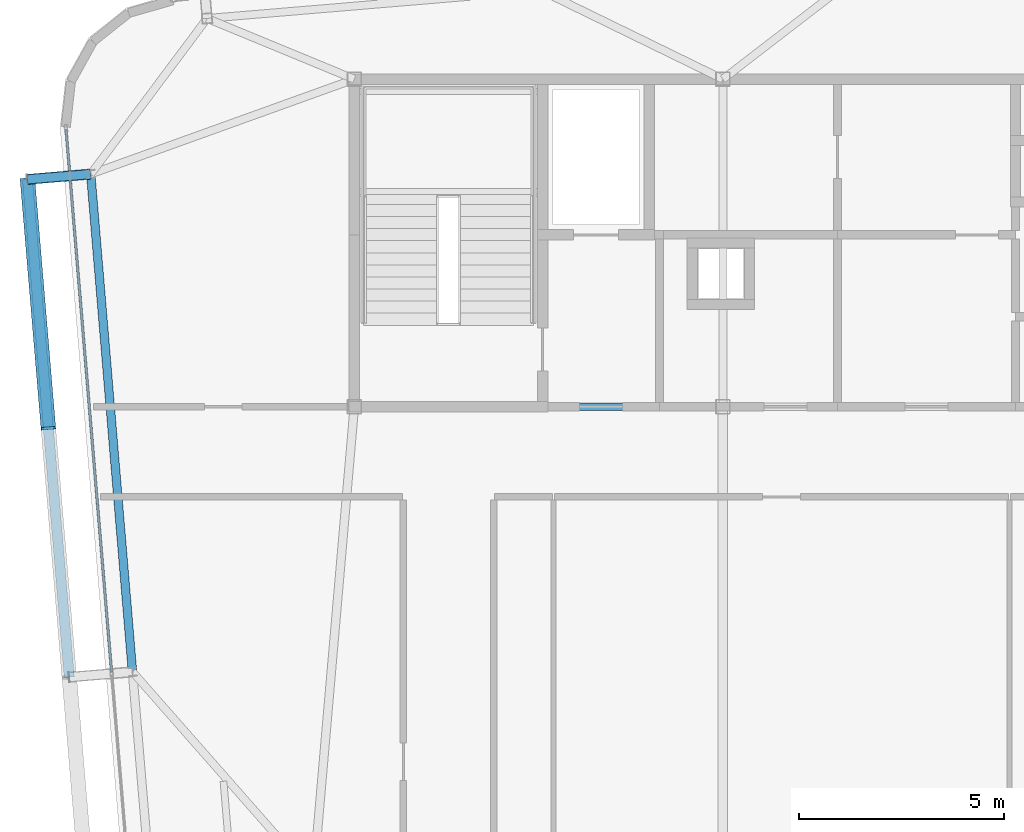
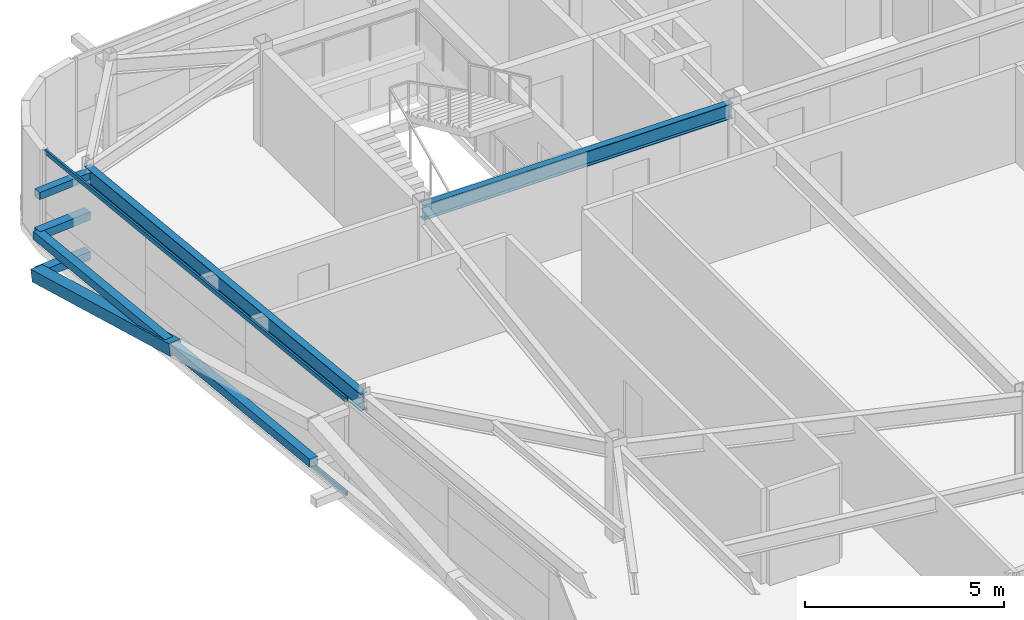
# One storey, part 13 of 39: 7 members, 2 beams, 1 element without a shape of its own.
"""IFC4 building model written with IfcOpenShell, lengths in metres."""

from ifc_helpers import new_model, si_unit, direction, frame, origin, origin_2d, place, context, subcontext, project, spatial, hollow_rectangle, i_section, extrude, source, transform, mapped, material, layer, layer_set, material_profile, profile_set, type_object, element, aggregate, save


model = new_model("IFC4")

# Units and contexts
model_context = context("Model", 3, precision=1e-05, world=origin(), true_north=direction((0.0, 1.0)))
body_context = subcontext(model_context, "Body", "Model", "MODEL_VIEW")
ifc_project = project(units=[si_unit("LENGTHUNIT", "METRE"), si_unit("AREAUNIT", "SQUARE_METRE"), si_unit("VOLUMEUNIT", "CUBIC_METRE"), si_unit("PLANEANGLEUNIT", "RADIAN"), si_unit("MASSUNIT", "GRAM", prefix="KILO")], contexts=[model_context])

# Site, building, storey
site_placement = place(None, origin())
site = spatial("IfcSite", under=ifc_project, at=site_placement, CompositionType="ELEMENT")
building_placement = place(site_placement, origin())
building = spatial("IfcBuilding", under=site, at=building_placement, Name="Taldren Reach Tower", CompositionType="ELEMENT")
storey_placement = place(building_placement, frame((0.0, 0.0, 197.75)))
storey = spatial("IfcBuildingStorey", under=building, at=storey_placement, Name="L60", CompositionType="ELEMENT", Elevation=197.75)

# Beams
ifc_material_1 = material(Name="Steel Gr 350 (350PLUS)", Category="steel")
ifc_material_profile_1 = material_profile(ifc_material_1, i_section(OverallWidth=0.19091796875, OverallDepth=0.4599609375, WebThickness=0.010009765625, FlangeThickness=0.01611328125, at=origin_2d()), Name="460UB82.1")
ifc_profile_set_1 = profile_set([ifc_material_profile_1], Name="Steel Gr 350 (350PLUS)")
beam_type_1 = type_object("IfcBeamType", Name="BM-UB460A", PredefinedType="BEAM", material=ifc_profile_set_1)
shared_shape_1 = source(origin(), body_context, "Body", "SweptSolid", [
    extrude(i_section(OverallWidth=0.19091796875, OverallDepth=0.4599609375, WebThickness=0.010009765625, FlangeThickness=0.01611328125, at=origin_2d()), origin(), (0.0, 0.0, 1.0), 9.0),
])
beam_1_placement = place(storey_placement, frame((19.0, 24.0, 2.699951171875), z_axis=(1.0, 0.0, 0.0), x_axis=(0.0, 1.0, 0.0)))
element("IfcBeam", 1, at=beam_1_placement, inside=storey, type_object=beam_type_1, Name="Core-spine girder L60-SP01", PredefinedType="BEAM", context=body_context, shape_type="MappedRepresentation", body=[
    mapped(shared_shape_1, transform((0.0, 0.0, 0.0), scale=1.0)),
])
ifc_material_profile_2 = material_profile(ifc_material_1, i_section(OverallWidth=0.208984375, OverallDepth=0.528076171875, WebThickness=0.009521484375, FlangeThickness=0.01318359375, at=origin_2d()), Name="530UB82.0")
ifc_profile_set_2 = profile_set([ifc_material_profile_2], Name="Steel Gr 350 (350PLUS)")
beam_type_2 = type_object("IfcBeamType", Name="SP-UB530B", PredefinedType="SPANDREL", material=ifc_profile_set_2)
shared_shape_2 = source(origin(), body_context, "Body", "SweptSolid", [
    extrude(i_section(OverallWidth=0.208984375, OverallDepth=0.528076171875, WebThickness=0.009521484375, FlangeThickness=0.01318359375, at=origin_2d()), origin(), (0.0, 0.0, 1.0), 12.199951171875),
])
beam_2_placement = place(storey_placement, frame((12.56201171875, 29.682373046875, 2.666015625), z_axis=(0.083668166953, -0.99649367175, 0.0), x_axis=(0.99649367175, 0.083668166953, 0.0)))
element("IfcBeam", 2, at=beam_2_placement, inside=storey, type_object=beam_type_2, Name="Perimeter spandrel B4 W3-W2 L60", PredefinedType="SPANDREL", context=body_context, shape_type="MappedRepresentation", body=[
    mapped(shared_shape_2, transform((0.0, 0.0, 0.0), scale=1.0)),
])

# Members
ifc_material_2 = material(Name="Steel Gr 450 (C450L0)", Category="steel")
ifc_material_profile_3 = material_profile(ifc_material_2, hollow_rectangle(XDim=0.219970703125, YDim=0.219970703125, WallThickness=0.00830078125, at=origin_2d()), Name="220x220x8.2SHS")
ifc_profile_set_3 = profile_set([ifc_material_profile_3], Name="Steel Gr 450 (C450L0)")
member_type_1 = type_object("IfcMemberType", Name="MB-TIE219", PredefinedType="STRUT", material=ifc_profile_set_3)
shared_shape_3 = source(origin(), body_context, "Body", "SweptSolid", [
    extrude(hollow_rectangle(XDim=0.219970703125, YDim=0.219970703125, WallThickness=0.00830078125, at=origin_2d()), origin(), (0.0, 0.0, 1.0), 1.54541015625),
])
member_1_placement = place(storey_placement, frame((12.557373046875, 29.68212890625, 2.64990234375), z_axis=(-0.99648887425, -0.083725285883, 0.0), x_axis=(0.083725285883, -0.99648887425, 0.0)))
element("IfcMember", 3, at=member_1_placement, inside=storey, type_object=member_type_1, Name="Exoskeleton diaphragm tie strut B4-W3 L60", PredefinedType="STRUT", context=body_context, shape_type="MappedRepresentation", body=[
    mapped(shared_shape_3, transform((0.0, 0.0, 0.0), scale=1.0)),
])
ifc_material_3 = material(Name="Steel Gr 350 (C350L0)", Category="steel")
ifc_material_profile_4 = material_profile(ifc_material_3, hollow_rectangle(XDim=0.25, YDim=0.25, WallThickness=0.010009765625, at=origin_2d()), Name="250x250x10.0SHS")
ifc_profile_set_4 = profile_set([ifc_material_profile_4], Name="Steel Gr 350 (C350L0)")
member_type_2 = type_object("IfcMemberType", Name="MB-POST250", PredefinedType="POST", material=ifc_profile_set_4)
shared_shape_4 = source(origin(), body_context, "Body", "SweptSolid", [
    extrude(hollow_rectangle(XDim=0.25, YDim=0.25, WallThickness=0.010009765625, at=origin_2d()), origin(), (0.0, 0.0, 1.0), 12.199951171875),
])
member_2_placement = place(storey_placement, frame((12.0380859375, 17.3955078125, 1.43505859375), z_axis=(-0.083668166953, 0.99649367175, 0.0), x_axis=(-0.99649367175, -0.083668166953, 0.0)))
element("IfcMember", 4, at=member_2_placement, inside=storey, type_object=member_type_2, Name="Exoskeleton mid-height ring chord B4-W2 L60", PredefinedType="POST", context=body_context, shape_type="MappedRepresentation", body=[
    mapped(shared_shape_4, transform((0.0, 0.0, 0.0), scale=1.0)),
])
shared_shape_5 = source(origin(), body_context, "Body", "SweptSolid", [
    extrude(hollow_rectangle(XDim=0.25, YDim=0.25, WallThickness=0.010009765625, at=origin_2d()), origin(), (0.0, 0.0, 1.0), 1.54541015625),
])
for number, where, z_axis, x_axis, name in (
    (5, (12.557373046875, 29.68212890625, 0.219970703125), (-0.99648887425, -0.083725285883, 0.0), (0.083725285883, -0.99648887425, 0.0), "Exoskeleton base diaphragm tie strut B4-W3 L60"),
    (6, (12.557373046875, 29.68212890625, 1.43505859375), (-0.99648887425, -0.083725285883, 0.0), (0.083725285883, -0.99648887425, 0.0), "Exoskeleton mid-tier diaphragm tie B4-W3 L60"),
):
    element("IfcMember", number, at=place(storey_placement, frame(where, z_axis=z_axis, x_axis=x_axis)), inside=storey, type_object=member_type_2, Name=name, PredefinedType="POST", context=body_context, shape_type="MappedRepresentation", body=[
        mapped(shared_shape_5, transform((0.0, 0.0, 0.0), scale=1.0)),
    ])
ifc_material_profile_5 = material_profile(ifc_material_2, hollow_rectangle(XDim=0.360107421875, YDim=0.360107421875, WallThickness=0.0126953125, at=origin_2d()), Name="360x360x12.7SHS")
ifc_profile_set_5 = profile_set([ifc_material_profile_5], Name="Steel Gr 450 (C450L0)")
member_type_3 = type_object("IfcMemberType", Name="MB-EXO356", PredefinedType="BRACE", material=ifc_profile_set_5)
shared_shape_6 = source(origin(), body_context, "Body", "SweptSolid", [
    extrude(hollow_rectangle(XDim=0.360107421875, YDim=0.360107421875, WallThickness=0.0126953125, at=origin_2d()), origin(), (0.0, 0.0, 1.0), 6.219970703125),
])
member_3_placement = place(storey_placement, frame((11.017333984375, 29.552734375, 0.219970703125), z_axis=(0.082075564879, -0.977291924611, 0.195356330179), x_axis=(0.996492003099, 0.083688038336, 0.0)))
element("IfcMember", 7, at=member_3_placement, inside=storey, type_object=member_type_3, Name="Exoskeleton Diagrid Brace B4-W2 L60", PredefinedType="BRACE", context=body_context, shape_type="MappedRepresentation", body=[
    mapped(shared_shape_6, transform((0.0, 0.0, 0.0), scale=1.0)),
])

# Curtain wall, members
ifc_material_4 = material(Name="Aluminium and Low-E Glass Unitised System", Category="aluminium")
ifc_layer = layer(ifc_material_4, 0.159912109375)
ifc_layer_set = layer_set([ifc_layer], Name="Aluminium and Low-E Glass Unitised System")
curtain_wall_type = type_object("IfcCurtainWallType", Name="CW-SYS-5", PredefinedType="NOTDEFINED", material=ifc_layer_set)
curtain_wall_placement = place(storey_placement, origin())
curtain_wall = element("IfcCurtainWall", 8, at=curtain_wall_placement, inside=storey, type_object=curtain_wall_type, Name="Unitised curtain wall CW-L60-W", PredefinedType="NOTDEFINED")
ifc_material_5 = material(Name="Anodised Aluminium 6063-T6", Category="aluminium")
ifc_material_profile_6 = material_profile(ifc_material_5, hollow_rectangle(XDim=0.06005859375, YDim=0.135009765625, WallThickness=0.00341796875, at=origin_2d()), Name="ALU-135x60x3.5RHS")
ifc_profile_set_6 = profile_set([ifc_material_profile_6], Name="Anodised Aluminium 6063-T6")
member_type_4 = type_object("IfcMemberType", Name="CW-TRN-150", PredefinedType="USERDEFINED", material=ifc_profile_set_6)
shared_shape_7 = source(origin(), body_context, "Body", "SweptSolid", [
    extrude(hollow_rectangle(XDim=0.06005859375, YDim=0.135009765625, WallThickness=0.00341796875, at=origin_2d()), origin(), (0.0, 0.0, 1.0), 13.295166015625),
])
member_4_placement = place(storey_placement, frame((11.959228515625, 30.765869140625, 0.030029296875), z_axis=(0.083662465438, -0.996494150448, 0.0), x_axis=(0.996494150448, 0.083662465438, 0.0)))
member_4 = element("IfcMember", 9, at=member_4_placement, type_object=member_type_4, Name="CW-5 transom 1.1", ObjectType="TRANSOM", PredefinedType="USERDEFINED", context=body_context, shape_type="MappedRepresentation", body=[
    mapped(shared_shape_7, transform((0.0, 0.0, 0.0), scale=1.0)),
])
member_5_placement = place(storey_placement, frame((11.959228515625, 30.765869140625, 2.89990234375), z_axis=(0.083662465438, -0.996494150448, 0.0), x_axis=(0.996494150448, 0.083662465438, 0.0)))
member_5 = element("IfcMember", 10, at=member_5_placement, type_object=member_type_4, Name="CW-5 transom 1.2", ObjectType="TRANSOM", PredefinedType="USERDEFINED", context=body_context, shape_type="MappedRepresentation", body=[
    mapped(shared_shape_7, transform((0.0, 0.0, 0.0), scale=1.0)),
])
aggregate(curtain_wall, [member_4, member_5])

save(model, "model.ifc")
